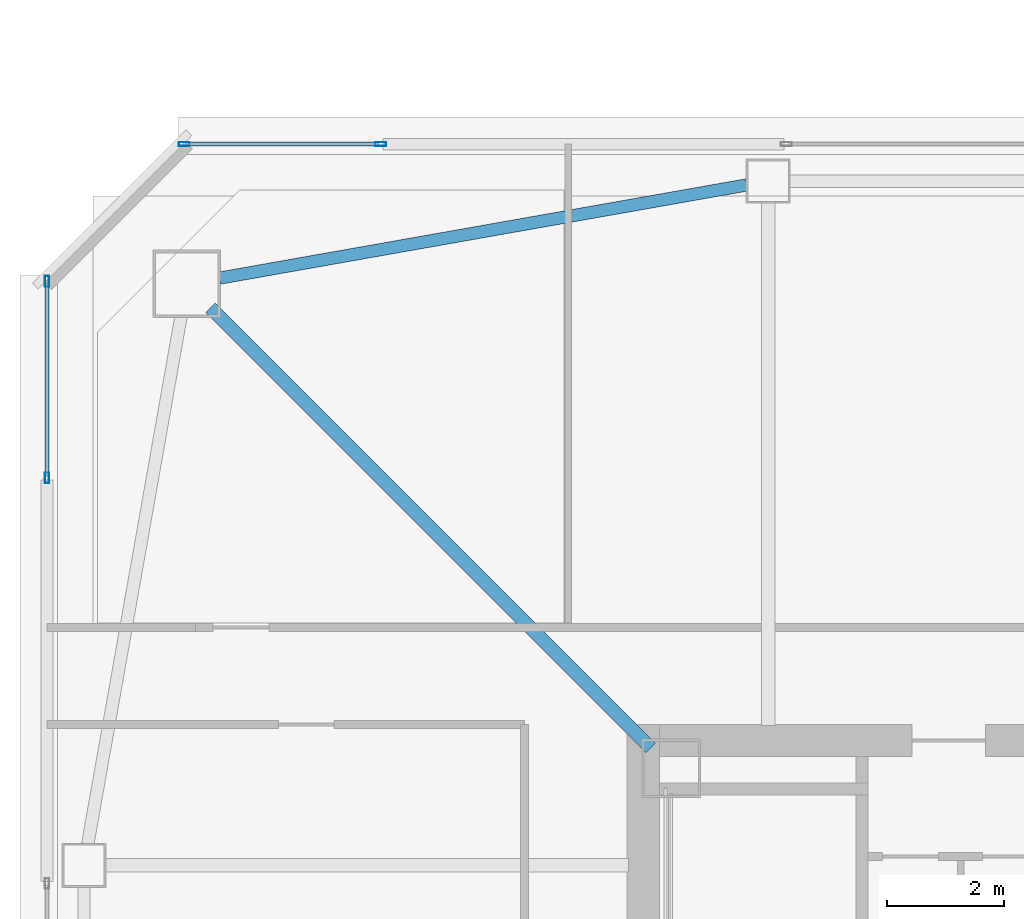
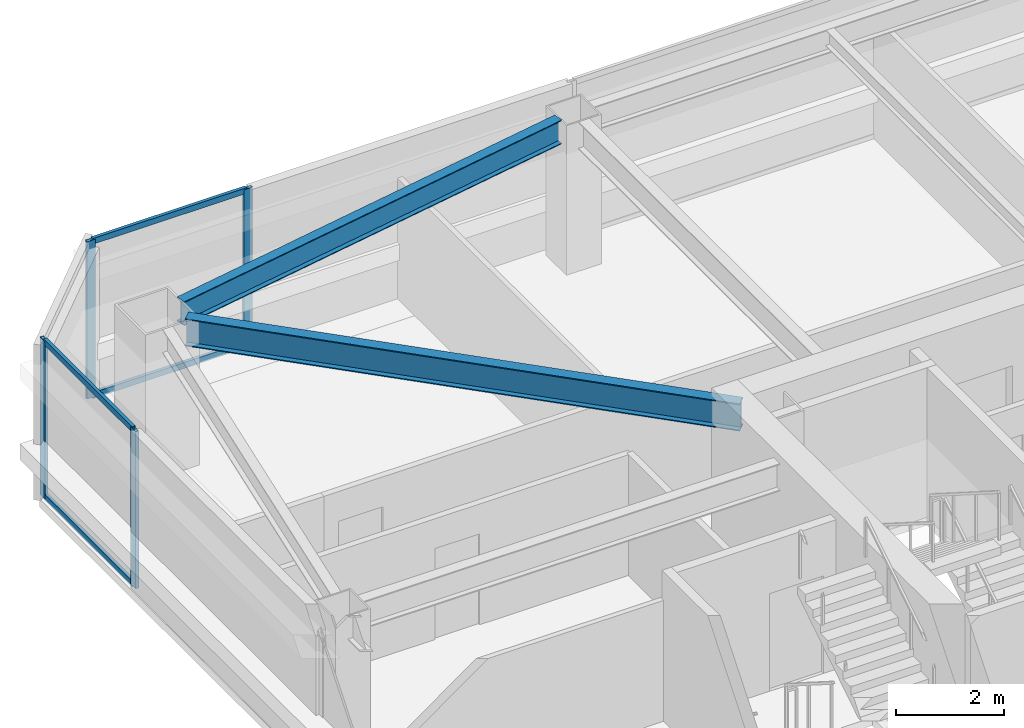
# One storey, part 11 of 41: 8 members, 2 beams, 2 elements without a shape of their own.
"""IFC4 building model written with IfcOpenShell, lengths in metres."""

from ifc_helpers import new_model, si_unit, direction, frame, origin, origin_2d, place, context, subcontext, project, spatial, hollow_rectangle, i_section, extrude, material, material_profile, profile_set, type_object, element, aggregate, save


model = new_model("IFC4")

# Units and contexts
model_context = context("Model", 3, precision=1e-05, world=origin(), true_north=direction((0.0, 1.0)))
body_context = subcontext(model_context, "Body", "Model", "MODEL_VIEW")
ifc_project = project(units=[si_unit("LENGTHUNIT", "METRE"), si_unit("AREAUNIT", "SQUARE_METRE"), si_unit("VOLUMEUNIT", "CUBIC_METRE"), si_unit("PLANEANGLEUNIT", "RADIAN"), si_unit("MASSUNIT", "GRAM", prefix="KILO")], contexts=[model_context])

# Site, building, storey
site_placement = place(None, origin())
site = spatial("IfcSite", under=ifc_project, at=site_placement, CompositionType="ELEMENT")
building_placement = place(site_placement, origin())
building = spatial("IfcBuilding", under=site, at=building_placement, Name="Tashvorn Skyway Center", CompositionType="ELEMENT")
storey_placement = place(building_placement, frame((0.0, 0.0, 174.75)))
storey = spatial("IfcBuildingStorey", under=building, at=storey_placement, Name="L47", CompositionType="ELEMENT", Elevation=174.75)

# Beams
ifc_material_1 = material(Name="Steel ASTM A992 Grade 50", Category="steel")
ifc_material_profile_1 = material_profile(ifc_material_1, i_section(OverallWidth=0.22998046875, OverallDepth=0.616943359375, WebThickness=0.01318359375, FlangeThickness=0.022216796875, at=origin_2d()), Name="W24X94")
ifc_profile_set_1 = profile_set([ifc_material_profile_1], Name="Steel ASTM A992 Grade 50")
beam_type_1 = type_object("IfcBeamType", Name="BM-BEAM-W24X94", PredefinedType="BEAM", material=ifc_profile_set_1)
beam_1_placement = place(storey_placement, frame((27.10302734375, 46.89697265625, 3.0615234375), z_axis=(0.707106781187, -0.707106781187, 0.0), x_axis=(0.707106781187, 0.707106781187, 0.0)))
element("IfcBeam", 1, at=beam_1_placement, inside=storey, type_object=beam_type_1, Name="Tower 1 L47 Primary Floor Girder MC-NW", PredefinedType="BEAM", context=body_context, shape_type="SweptSolid", body=[
    extrude(i_section(OverallWidth=0.22998046875, OverallDepth=0.616943359375, WebThickness=0.01318359375, FlangeThickness=0.022216796875, at=origin_2d()), origin(), (0.0, 0.0, 1.0), 10.6025390625),
])
ifc_material_profile_2 = material_profile(ifc_material_1, i_section(OverallWidth=0.2109375, OverallDepth=0.5390625, WebThickness=0.01171875, FlangeThickness=0.018798828125, at=origin_2d()), Name="W21X73")
ifc_profile_set_2 = profile_set([ifc_material_profile_2], Name="Steel ASTM A992 Grade 50")
beam_type_2 = type_object("IfcBeamType", Name="BM-SPANDREL-W21X73", PredefinedType="SPANDREL", material=ifc_profile_set_2)
beam_2_placement = place(storey_placement, frame((36.235595703125, 48.985595703125, 3.1005859375), z_axis=(-0.984732545667, -0.174074160933, 0.0), x_axis=(0.174074160933, -0.984732545667, 0.0)))
element("IfcBeam", 2, at=beam_2_placement, inside=storey, type_object=beam_type_2, Name="Tower 1 L47 Spandrel Beam 09", PredefinedType="SPANDREL", context=body_context, shape_type="SweptSolid", body=[
    extrude(i_section(OverallWidth=0.2109375, OverallDepth=0.5390625, WebThickness=0.01171875, FlangeThickness=0.018798828125, at=origin_2d()), origin(), (0.0, 0.0, 1.0), 9.113525390625),
])

# Curtain wall, members
ifc_material_2 = material(Name="Thermally broken bronze-anodized aluminium 6063-T6", Category="aluminium")
curtain_wall_type = type_object("IfcCurtainWallType", Name="CW-CW-Z4", PredefinedType="NOTDEFINED", material=ifc_material_2)
curtain_wall_1_placement = place(storey_placement, origin())
curtain_wall_1 = element("IfcCurtainWall", 3, at=curtain_wall_1_placement, inside=storey, type_object=curtain_wall_type, Name="Tower 1 L47 West Unitised Curtain Wall Glazing Group 3", PredefinedType="NOTDEFINED")
ifc_material_profile_3 = material_profile(ifc_material_2, hollow_rectangle(XDim=0.070068359375, YDim=0.179931640625, WallThickness=0.00390625, at=origin_2d()), Name="ALU-MULL-70x180")
ifc_profile_set_3 = profile_set([ifc_material_profile_3], Name="Thermally broken bronze-anodized aluminium 6063-T6")
member_type_1 = type_object("IfcMemberType", Name="CWM-CW-Z4", PredefinedType="MULLION", material=ifc_profile_set_3)
member_1_placement = place(storey_placement, frame((24.320068359375, 43.997314453125, 0.0), z_axis=(0.0, 0.0, 1.0), x_axis=(-1.0, 0.0, 0.0)))
member_1 = element("IfcMember", 4, at=member_1_placement, type_object=member_type_1, Name="CW-Z4 mullion 1", PredefinedType="MULLION", context=body_context, shape_type="SweptSolid", body=[
    extrude(hollow_rectangle(XDim=0.070068359375, YDim=0.179931640625, WallThickness=0.00390625, at=origin_2d()), origin(), (0.0, 0.0, 1.0), 3.550048828125),
])
member_2_placement = place(storey_placement, frame((24.320068359375, 47.344970703125, 0.0), z_axis=(0.0, 0.0, 1.0), x_axis=(-1.0, 0.0, 0.0)))
member_2 = element("IfcMember", 5, at=member_2_placement, type_object=member_type_1, Name="CW-Z4 mullion 2", PredefinedType="MULLION", context=body_context, shape_type="SweptSolid", body=[
    extrude(hollow_rectangle(XDim=0.070068359375, YDim=0.179931640625, WallThickness=0.00390625, at=origin_2d()), origin(), (0.0, 0.0, 1.0), 3.550048828125),
])

curtain_wall_2_placement = place(storey_placement, origin())
curtain_wall_2 = element("IfcCurtainWall", 6, at=curtain_wall_2_placement, inside=storey, type_object=curtain_wall_type, Name="Tower 1 L47 North Unitised Curtain Wall Glazing Group 1", PredefinedType="NOTDEFINED")
member_3_placement = place(storey_placement, frame((26.655029296875, 49.679931640625, 0.0), z_axis=(0.0, 0.0, 1.0), x_axis=(0.0, 1.0, 0.0)))
member_3 = element("IfcMember", 7, at=member_3_placement, type_object=member_type_1, Name="CW-Z4 mullion 1", PredefinedType="MULLION", context=body_context, shape_type="SweptSolid", body=[
    extrude(hollow_rectangle(XDim=0.070068359375, YDim=0.179931640625, WallThickness=0.00390625, at=origin_2d()), origin(), (0.0, 0.0, 1.0), 3.550048828125),
])
member_4_placement = place(storey_placement, frame((30.002685546875, 49.679931640625, 0.0), z_axis=(0.0, 0.0, 1.0), x_axis=(0.0, 1.0, 0.0)))
member_4 = element("IfcMember", 8, at=member_4_placement, type_object=member_type_1, Name="CW-Z4 mullion 2", PredefinedType="MULLION", context=body_context, shape_type="SweptSolid", body=[
    extrude(hollow_rectangle(XDim=0.070068359375, YDim=0.179931640625, WallThickness=0.00390625, at=origin_2d()), origin(), (0.0, 0.0, 1.0), 3.550048828125),
])

# Member
ifc_material_profile_4 = material_profile(ifc_material_2, hollow_rectangle(XDim=0.070068359375, YDim=0.1298828125, WallThickness=0.00390625, at=origin_2d()), Name="ALU-TRAN-70x130")
ifc_profile_set_4 = profile_set([ifc_material_profile_4], Name="Thermally broken bronze-anodized aluminium 6063-T6")
member_type_2 = type_object("IfcMemberType", Name="CWT-CW-Z4", PredefinedType="USERDEFINED", material=ifc_profile_set_4)
member_5_placement = place(storey_placement, frame((24.320068359375, 44.0322265625, 0.034912109375), z_axis=(0.0, 1.0, 0.0), x_axis=(-1.0, 0.0, 0.0)))
member_5 = element("IfcMember", 9, at=member_5_placement, type_object=member_type_2, Name="CW-Z4 transom 1.1", ObjectType="TRANSOM", PredefinedType="USERDEFINED", context=body_context, shape_type="SweptSolid", body=[
    extrude(hollow_rectangle(XDim=0.070068359375, YDim=0.1298828125, WallThickness=0.00390625, at=origin_2d()), origin(), (0.0, 0.0, 1.0), 3.27783203125),
])

member_6_placement = place(storey_placement, frame((24.320068359375, 44.0322265625, 3.514892578125), z_axis=(0.0, 1.0, 0.0), x_axis=(-1.0, 0.0, 0.0)))
member_6 = element("IfcMember", 10, at=member_6_placement, type_object=member_type_2, Name="CW-Z4 transom 1.2", ObjectType="TRANSOM", PredefinedType="USERDEFINED", context=body_context, shape_type="SweptSolid", body=[
    extrude(hollow_rectangle(XDim=0.070068359375, YDim=0.1298828125, WallThickness=0.00390625, at=origin_2d()), origin(), (0.0, 0.0, 1.0), 3.27783203125),
])

aggregate(curtain_wall_1, [member_1, member_2, member_5, member_6])

member_7_placement = place(storey_placement, frame((26.68994140625, 49.679931640625, 0.034912109375), z_axis=(1.0, 0.0, 0.0), x_axis=(0.0, 1.0, 0.0)))
member_7 = element("IfcMember", 11, at=member_7_placement, type_object=member_type_2, Name="CW-Z4 transom 1.1", ObjectType="TRANSOM", PredefinedType="USERDEFINED", context=body_context, shape_type="SweptSolid", body=[
    extrude(hollow_rectangle(XDim=0.070068359375, YDim=0.1298828125, WallThickness=0.00390625, at=origin_2d()), origin(), (0.0, 0.0, 1.0), 3.27783203125),
])

member_8_placement = place(storey_placement, frame((26.68994140625, 49.679931640625, 3.514892578125), z_axis=(1.0, 0.0, 0.0), x_axis=(0.0, 1.0, 0.0)))
member_8 = element("IfcMember", 12, at=member_8_placement, type_object=member_type_2, Name="CW-Z4 transom 1.2", ObjectType="TRANSOM", PredefinedType="USERDEFINED", context=body_context, shape_type="SweptSolid", body=[
    extrude(hollow_rectangle(XDim=0.070068359375, YDim=0.1298828125, WallThickness=0.00390625, at=origin_2d()), origin(), (0.0, 0.0, 1.0), 3.27783203125),
])

aggregate(curtain_wall_2, [member_3, member_4, member_7, member_8])

save(model, "model.ifc")
